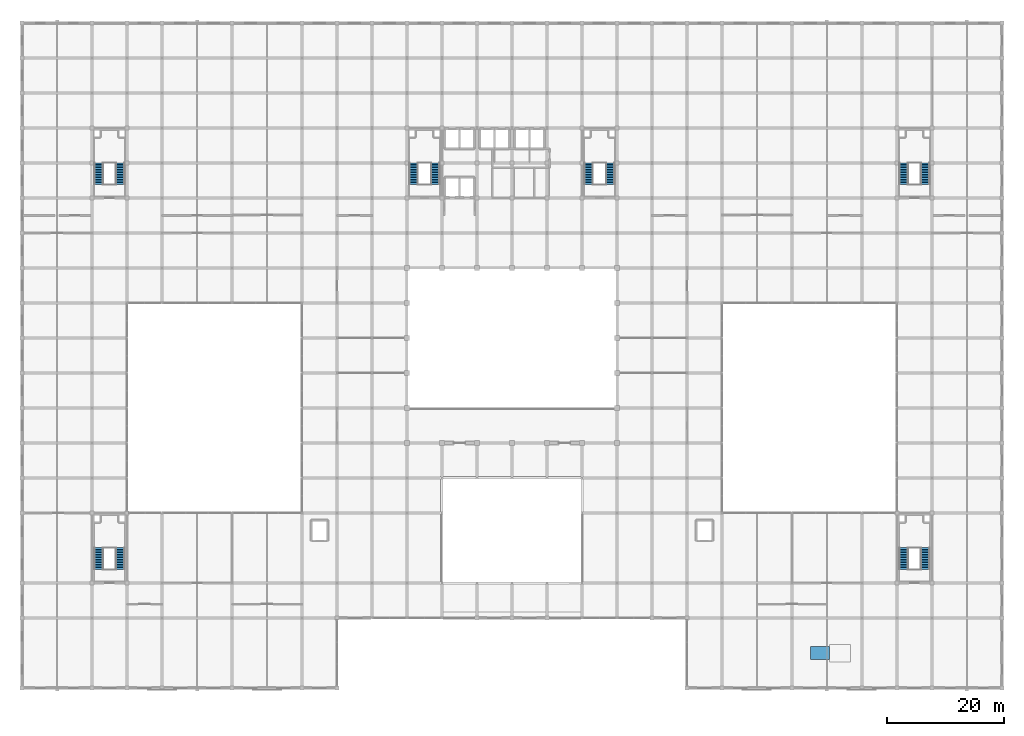
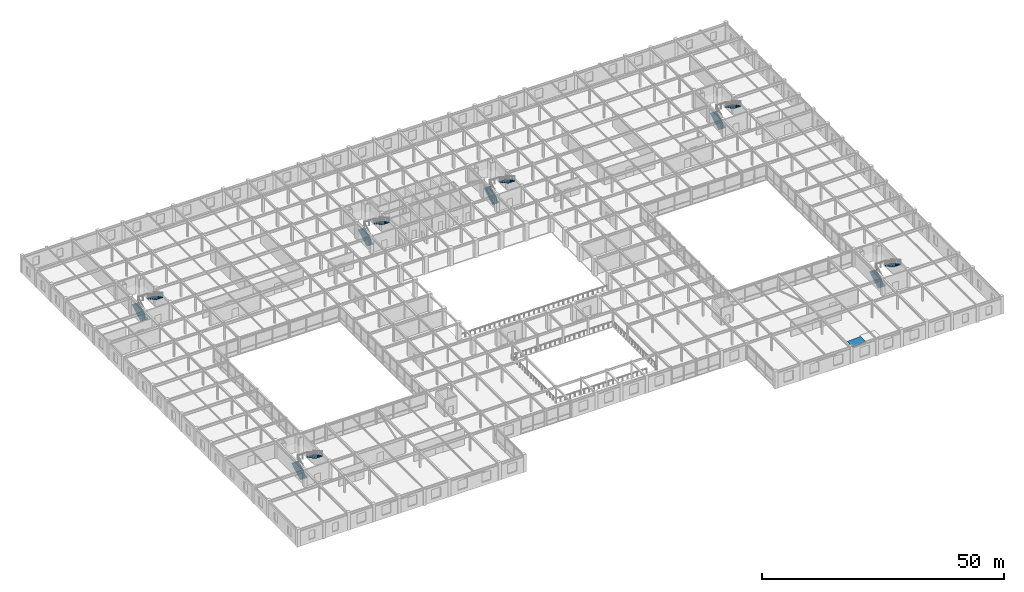
# One storey, part 106 of 108: 12 stair flights, 1 ramp flight, 7 elements without a shape of their own.
"""IFC4 building model written with IfcOpenShell, lengths in metres."""

import ifcopenshell
import ifcopenshell.guid

model = None  # the IFC model being written
_history = None  # IfcOwnerHistory: only IFC2X3 demands one
_inside = {}  # id of a spatial element -> (the spatial element, [elements in it])
_under = {}  # id of a project, library or spatial element -> (it, [spatial elements below it])
_declared = {}  # id of a project -> (the project, [libraries it declares])
_typed = {}  # id of a type object -> (the type object, [elements of that type])
_made_of = {}  # id of a material, layer set ... -> (it, [elements and type objects made of it])


def new_model(schema):
    """Start an empty IFC model of exactly this schema.

    Asked for "IFC4X3", IfcOpenShell would pick the latest addendum, in which some entities
    have other attributes; the version numbers below select the first issue.
    IFC2X3 requires an IfcOwnerHistory on every rooted entity: one is made here for all.
    """
    global model, _history
    if schema == "IFC4X3":
        model = ifcopenshell.file(schema_version=(4, 3, 0, 0))
    else:
        model = ifcopenshell.file(schema=schema)
    _inside.clear()
    _under.clear()
    _declared.clear()
    _typed.clear()
    _made_of.clear()
    _history = None
    if model.schema == "IFC2X3":
        org = make("IfcOrganization", Name="unknown")
        user = make(
            "IfcPersonAndOrganization",
            ThePerson=make("IfcPerson", FamilyName="unknown"),
            TheOrganization=org,
        )
        app = make(
            "IfcApplication",
            ApplicationDeveloper=org,
            Version="unknown",
            ApplicationFullName="unknown",
            ApplicationIdentifier="unknown",
        )
        _history = make(
            "IfcOwnerHistory",
            OwningUser=user,
            OwningApplication=app,
            ChangeAction="ADDED",
            CreationDate=0,
        )
    return model


def make(cls, **values):
    """One entity of the class cls with the attributes given. An attribute that is None is left unset."""
    return model.create_entity(
        cls, **{name: value for name, value in values.items() if value is not None}
    )


def rooted(cls, **values):
    """An entity with a GlobalId (a new one), such as an element, a storey or a relation."""
    return make(cls, GlobalId=ifcopenshell.guid.new(), OwnerHistory=_history, **values)


def si_unit(unit_type, name, prefix=None):
    """IfcSIUnit, for example si_unit("LENGTHUNIT", "METRE", prefix="MILLI")."""
    return make("IfcSIUnit", UnitType=unit_type, Prefix=prefix, Name=name)


def assignment(units):
    """IfcUnitAssignment: the units of a project."""
    return None if units is None else make("IfcUnitAssignment", Units=units)


def point(xyz):
    """IfcCartesianPoint."""
    return None if xyz is None else make("IfcCartesianPoint", Coordinates=xyz)


def direction(xyz):
    """IfcDirection."""
    return None if xyz is None else make("IfcDirection", DirectionRatios=xyz)


def frame(location, z_axis=None, x_axis=None):
    """IfcAxis2Placement3D, a coordinate frame: its origin and axes. An axis left out is left unset."""
    return make(
        "IfcAxis2Placement3D",
        Location=point(location),
        Axis=direction(z_axis),
        RefDirection=direction(x_axis),
    )


def origin():
    """The frame at (0, 0, 0) with its axes left unset."""
    return frame((0.0, 0.0, 0.0))


def place(relative_to, where):
    """IfcLocalPlacement: puts the frame where relative to a parent placement (None: the world)."""
    return make(
        "IfcLocalPlacement", PlacementRelTo=relative_to, RelativePlacement=where
    )


def context(
    kind, dimensions, precision=None, world=None, true_north=None, identifier=None
):
    """IfcGeometricRepresentationContext, for example the 3D "Model" context."""
    return make(
        "IfcGeometricRepresentationContext",
        ContextIdentifier=identifier,
        ContextType=kind,
        CoordinateSpaceDimension=dimensions,
        Precision=precision,
        WorldCoordinateSystem=world,
        TrueNorth=true_north,
    )


def subcontext(parent, identifier, kind, view, scale=None):
    """IfcGeometricRepresentationSubContext, for example "Body" below "Model"."""
    return make(
        "IfcGeometricRepresentationSubContext",
        ContextIdentifier=identifier,
        ContextType=kind,
        ParentContext=parent,
        TargetScale=scale,
        TargetView=view,
    )


def project(units=None, contexts=None):
    """IfcProject with its units and contexts."""
    return rooted(
        "IfcProject",
        Name="project",
        RepresentationContexts=contexts,
        UnitsInContext=assignment(units),
    )


def spatial(cls, under=None, at=None, **own):
    """A site, building, storey or space (cls), placed at a placement, below another one or the project."""
    s = rooted(cls, ObjectPlacement=at, **own)
    if under is not None:
        _under.setdefault(under.id(), (under, []))[1].append(s)
    return s


def polyline(points):
    """IfcPolyline through the points."""
    return make("IfcPolyline", Points=[point(p) for p in points])


def outline(outer, holes=None, kind="AREA"):
    """IfcArbitraryClosedProfileDef: a profile drawn as a closed curve; with holes, ...WithVoids."""
    if holes is None:
        return make("IfcArbitraryClosedProfileDef", ProfileType=kind, OuterCurve=outer)
    return make(
        "IfcArbitraryProfileDefWithVoids",
        ProfileType=kind,
        OuterCurve=outer,
        InnerCurves=holes,
    )


def extrude(swept, where, along, depth):
    """IfcExtrudedAreaSolid: the profile swept, set in the frame where, extruded along a direction by depth."""
    return make(
        "IfcExtrudedAreaSolid",
        SweptArea=swept,
        Position=where,
        ExtrudedDirection=direction(along),
        Depth=depth,
    )


def shape(context_of_items, identifier, shape_type, items):
    """IfcShapeRepresentation: the items that make up one representation, for example the "Body"."""
    return make(
        "IfcShapeRepresentation",
        ContextOfItems=context_of_items,
        RepresentationIdentifier=identifier,
        RepresentationType=shape_type,
        Items=items,
    )


def material(Name=None, Category=None):
    """IfcMaterial."""
    return make("IfcMaterial", Name=Name, Category=Category)


def layer(
    of_material, thickness, ventilated=None, Name=None, Category=None, Priority=None
):
    """IfcMaterialLayer: one layer of a wall or slab, of a material (None: an air gap)."""
    return make(
        "IfcMaterialLayer",
        Material=of_material,
        LayerThickness=thickness,
        IsVentilated=ventilated,
        Name=Name,
        Category=Category,
        Priority=Priority,
    )


def layer_set(layers, Name=None):
    """IfcMaterialLayerSet."""
    return make("IfcMaterialLayerSet", MaterialLayers=layers, LayerSetName=Name)


def made_of(thing, what):
    """Note that an element or type object is made of a material, layer set ...; save() writes the relation."""
    if what is not None:
        _made_of.setdefault(what.id(), (what, []))[1].append(thing)
    return thing


def type_object(cls, material=None, **own):
    """A type object (cls), such as IfcWallType, which elements share."""
    return made_of(rooted(cls, **own), material)


def element(
    cls,
    number,
    at=None,
    inside=None,
    cuts=None,
    type_object=None,
    material=None,
    context=None,
    identifier="Body",
    shape_type=None,
    held_by="IfcProductDefinitionShape",
    body=None,
    shapes=None,
    **own,
):
    """One element of the class cls, such as IfcWall. Its Tag is "e" and its number.

    at: its placement. inside: the storey or other place that contains it. cuts: it is an
    opening in that element (IfcRelVoidsElement). A single representation is given by context,
    identifier, shape_type and body (its items); several are given by shapes. held_by: the class
    of the entity that holds the representations. save() writes the other relations.
    """
    e = rooted(cls, Tag="e%d" % number, ObjectPlacement=at, **own)
    if body is not None:
        shapes = [shape(context, identifier, shape_type, body)]
    if shapes is not None:
        e.Representation = make(held_by, Representations=shapes)
    if inside is not None:
        _inside.setdefault(inside.id(), (inside, []))[1].append(e)
    if cuts is not None:
        rooted(
            "IfcRelVoidsElement", RelatingBuildingElement=cuts, RelatedOpeningElement=e
        )
    if type_object is not None:
        _typed.setdefault(type_object.id(), (type_object, []))[1].append(e)
    return made_of(e, material)


def aggregate(whole, parts):
    """IfcRelAggregates: a whole, such as a stair, and the parts it consists of."""
    return rooted("IfcRelAggregates", RelatingObject=whole, RelatedObjects=parts)


def save(model, path):
    """Write the relations noted so far, then the file.

    IfcRelAggregates (storeys below a building ...), IfcRelContainedInSpatialStructure (elements
    in a storey), IfcRelDefinesByType, IfcRelAssociatesMaterial and IfcRelDeclares: one each for
    every whole, place, type object, material and project.
    """
    for whole, parts in _under.values():
        aggregate(whole, parts)
    for where, things in _inside.values():
        rooted(
            "IfcRelContainedInSpatialStructure",
            RelatedElements=things,
            RelatingStructure=where,
        )
    for kind, things in _typed.values():
        rooted("IfcRelDefinesByType", RelatedObjects=things, RelatingType=kind)
    for what, things in _made_of.values():
        rooted("IfcRelAssociatesMaterial", RelatedObjects=things, RelatingMaterial=what)
    for by, libraries in _declared.values():
        rooted("IfcRelDeclares", RelatingContext=by, RelatedDefinitions=libraries)
    model.write(path)


model = new_model("IFC4")

# Units and contexts
model_context = context("Model", 3, precision=1e-05, world=origin(), true_north=direction((0.0, 1.0)))
body_context = subcontext(model_context, "Body", "Model", "MODEL_VIEW")
ifc_project = project(units=[si_unit("LENGTHUNIT", "METRE"), si_unit("AREAUNIT", "SQUARE_METRE"), si_unit("VOLUMEUNIT", "CUBIC_METRE"), si_unit("PLANEANGLEUNIT", "RADIAN"), si_unit("MASSUNIT", "GRAM", prefix="KILO")], contexts=[model_context])

# Site, building, storey
site_placement = place(None, origin())
site = spatial("IfcSite", under=ifc_project, at=site_placement, CompositionType="ELEMENT")
building_placement = place(site_placement, origin())
building = spatial("IfcBuilding", under=site, at=building_placement, Name="Zlatovratsky Civic Hall", CompositionType="ELEMENT")
storey_placement = place(building_placement, frame((0.0, 0.0, 12.0)))
storey = spatial("IfcBuildingStorey", under=building, at=storey_placement, Name="L03", CompositionType="ELEMENT", Elevation=12.0)

# Stair, stair flights
ifc_material = material(Name="Concrete C30/37 (B35)", Category="concrete")
stair_type_1 = type_object("IfcStairType", Name="Stair_HALF_28R_1550W_03", PredefinedType="HALF_TURN_STAIR", material=ifc_material)
stair_1_placement = place(storey_placement, origin())
stair_1 = element("IfcStair", 1, at=stair_1_placement, inside=storey, type_object=stair_type_1, Name="ST-004", PredefinedType="HALF_TURN_STAIR")
stair_flight_type_1 = type_object("IfcStairFlightType", Name="StairFlight_14R_1550W_03", PredefinedType="STRAIGHT", material=ifc_material)
stair_flight_1_placement = place(storey_placement, frame((67.125, 86.35009765625, 0.0), z_axis=(0.0, 0.0, 1.0), x_axis=(0.0, 1.0, 0.0)))
stair_flight_1 = element("IfcStairFlight", 2, at=stair_flight_1_placement, type_object=stair_flight_type_1, Name="ST-004-F1", NumberOfRisers=14, NumberOfTreads=13, PredefinedType="STRAIGHT", RiserHeight=0.160714286, TreadLength=0.285, context=body_context, shape_type="SweptSolid", body=[
    extrude(outline(polyline([(0.0, 0.0), (0.0, 0.16064453125), (0.284912109375, 0.16064453125), (0.284912109375, 0.321533203125), (0.570068359375, 0.321533203125), (0.570068359375, 0.482177734375), (0.85498046875, 0.482177734375), (0.85498046875, 0.642822265625), (1.139892578125, 0.642822265625), (1.139892578125, 0.803466796875), (1.425048828125, 0.803466796875), (1.425048828125, 0.96435546875), (1.7099609375, 0.96435546875), (1.7099609375, 1.125), (1.9951171875, 1.125), (1.9951171875, 1.28564453125), (2.280029296875, 1.28564453125), (2.280029296875, 1.446533203125), (2.56494140625, 1.446533203125), (2.56494140625, 1.607177734375), (2.85009765625, 1.607177734375), (2.85009765625, 1.767822265625), (3.135009765625, 1.767822265625), (3.135009765625, 1.928466796875), (3.419921875, 1.928466796875), (3.419921875, 2.08935546875), (3.705078125, 2.08935546875), (3.705078125, 2.25), (3.705078125, 1.8828125), (0.3662109375, 0.0), (0.0, 0.0)])), frame((0.0, 0.77490234375, 0.0), z_axis=(0.0, -1.0, 0.0), x_axis=(1.0, 0.0, 0.0)), (0.0, 0.0, 1.0), 1.550048828125),
])
stair_flight_2_placement = place(storey_placement, frame((70.875, 90.054931640625, 2.25), z_axis=(0.0, 0.0, 1.0), x_axis=(0.0, -1.0, 0.0)))
stair_flight_2 = element("IfcStairFlight", 3, at=stair_flight_2_placement, type_object=stair_flight_type_1, Name="ST-004-F2", NumberOfRisers=14, NumberOfTreads=13, PredefinedType="STRAIGHT", RiserHeight=0.160714286, TreadLength=0.285, context=body_context, shape_type="SweptSolid", body=[
    extrude(outline(polyline([(0.0, 0.0), (0.0, 0.16064453125), (0.284912109375, 0.16064453125), (0.284912109375, 0.321533203125), (0.570068359375, 0.321533203125), (0.570068359375, 0.482177734375), (0.85498046875, 0.482177734375), (0.85498046875, 0.642822265625), (1.139892578125, 0.642822265625), (1.139892578125, 0.803466796875), (1.425048828125, 0.803466796875), (1.425048828125, 0.96435546875), (1.7099609375, 0.96435546875), (1.7099609375, 1.125), (1.9951171875, 1.125), (1.9951171875, 1.28564453125), (2.280029296875, 1.28564453125), (2.280029296875, 1.446533203125), (2.56494140625, 1.446533203125), (2.56494140625, 1.607177734375), (2.85009765625, 1.607177734375), (2.85009765625, 1.767822265625), (3.135009765625, 1.767822265625), (3.135009765625, 1.928466796875), (3.419921875, 1.928466796875), (3.419921875, 2.08935546875), (3.705078125, 2.08935546875), (3.705078125, 2.25), (3.705078125, 1.8828125), (0.3662109375, 0.0), (0.0, 0.0)])), frame((0.0, 0.77490234375, 0.0), z_axis=(0.0, -1.0, 0.0), x_axis=(1.0, 0.0, 0.0)), (0.0, 0.0, 1.0), 1.550048828125),
])
aggregate(stair_1, [stair_flight_1, stair_flight_2])

stair_2_placement = place(storey_placement, origin())
stair_2 = element("IfcStair", 4, at=stair_2_placement, inside=storey, type_object=stair_type_1, Name="ST-023", PredefinedType="HALF_TURN_STAIR")
stair_flight_3_placement = place(storey_placement, frame((97.125, 86.35009765625, 0.0), z_axis=(0.0, 0.0, 1.0), x_axis=(0.0, 1.0, 0.0)))
stair_flight_3 = element("IfcStairFlight", 5, at=stair_flight_3_placement, type_object=stair_flight_type_1, Name="ST-023-F1", NumberOfRisers=14, NumberOfTreads=13, PredefinedType="STRAIGHT", RiserHeight=0.160714286, TreadLength=0.285, context=body_context, shape_type="SweptSolid", body=[
    extrude(outline(polyline([(0.0, 0.0), (0.0, 0.16064453125), (0.284912109375, 0.16064453125), (0.284912109375, 0.321533203125), (0.570068359375, 0.321533203125), (0.570068359375, 0.482177734375), (0.85498046875, 0.482177734375), (0.85498046875, 0.642822265625), (1.139892578125, 0.642822265625), (1.139892578125, 0.803466796875), (1.425048828125, 0.803466796875), (1.425048828125, 0.96435546875), (1.7099609375, 0.96435546875), (1.7099609375, 1.125), (1.9951171875, 1.125), (1.9951171875, 1.28564453125), (2.280029296875, 1.28564453125), (2.280029296875, 1.446533203125), (2.56494140625, 1.446533203125), (2.56494140625, 1.607177734375), (2.85009765625, 1.607177734375), (2.85009765625, 1.767822265625), (3.135009765625, 1.767822265625), (3.135009765625, 1.928466796875), (3.419921875, 1.928466796875), (3.419921875, 2.08935546875), (3.705078125, 2.08935546875), (3.705078125, 2.25), (3.705078125, 1.8828125), (0.3662109375, 0.0), (0.0, 0.0)])), frame((0.0, 0.77490234375, 0.0), z_axis=(0.0, -1.0, 0.0), x_axis=(1.0, 0.0, 0.0)), (0.0, 0.0, 1.0), 1.550048828125),
])
stair_flight_4_placement = place(storey_placement, frame((100.875, 90.054931640625, 2.25), z_axis=(0.0, 0.0, 1.0), x_axis=(0.0, -1.0, 0.0)))
stair_flight_4 = element("IfcStairFlight", 6, at=stair_flight_4_placement, type_object=stair_flight_type_1, Name="ST-023-F2", NumberOfRisers=14, NumberOfTreads=13, PredefinedType="STRAIGHT", RiserHeight=0.160714286, TreadLength=0.285, context=body_context, shape_type="SweptSolid", body=[
    extrude(outline(polyline([(0.0, 0.0), (0.0, 0.16064453125), (0.284912109375, 0.16064453125), (0.284912109375, 0.321533203125), (0.570068359375, 0.321533203125), (0.570068359375, 0.482177734375), (0.85498046875, 0.482177734375), (0.85498046875, 0.642822265625), (1.139892578125, 0.642822265625), (1.139892578125, 0.803466796875), (1.425048828125, 0.803466796875), (1.425048828125, 0.96435546875), (1.7099609375, 0.96435546875), (1.7099609375, 1.125), (1.9951171875, 1.125), (1.9951171875, 1.28564453125), (2.280029296875, 1.28564453125), (2.280029296875, 1.446533203125), (2.56494140625, 1.446533203125), (2.56494140625, 1.607177734375), (2.85009765625, 1.607177734375), (2.85009765625, 1.767822265625), (3.135009765625, 1.767822265625), (3.135009765625, 1.928466796875), (3.419921875, 1.928466796875), (3.419921875, 2.08935546875), (3.705078125, 2.08935546875), (3.705078125, 2.25), (3.705078125, 1.8828125), (0.3662109375, 0.0), (0.0, 0.0)])), frame((0.0, 0.77490234375, 0.0), z_axis=(0.0, -1.0, 0.0), x_axis=(1.0, 0.0, 0.0)), (0.0, 0.0, 1.0), 1.550048828125),
])
aggregate(stair_2, [stair_flight_3, stair_flight_4])

stair_type_2 = type_object("IfcStairType", Name="Stair_HALF_28R_1600W_08", PredefinedType="HALF_TURN_STAIR", material=ifc_material)
stair_3_placement = place(storey_placement, origin())
stair_3 = element("IfcStair", 7, at=stair_3_placement, inside=storey, type_object=stair_type_2, Name="ST-041", PredefinedType="HALF_TURN_STAIR")
stair_flight_type_2 = type_object("IfcStairFlightType", Name="StairFlight_14R_1600W_08", PredefinedType="STRAIGHT", material=ifc_material)
stair_flight_5_placement = place(storey_placement, frame((13.14990234375, 20.35009765625, 0.0), z_axis=(0.0, 0.0, 1.0), x_axis=(0.0, 1.0, 0.0)))
stair_flight_5 = element("IfcStairFlight", 8, at=stair_flight_5_placement, type_object=stair_flight_type_2, Name="ST-041-F1", NumberOfRisers=14, NumberOfTreads=13, PredefinedType="STRAIGHT", RiserHeight=0.160714286, TreadLength=0.285, context=body_context, shape_type="SweptSolid", body=[
    extrude(outline(polyline([(0.0, 0.0), (0.0, 0.16064453125), (0.284912109375, 0.16064453125), (0.284912109375, 0.321533203125), (0.570068359375, 0.321533203125), (0.570068359375, 0.482177734375), (0.85498046875, 0.482177734375), (0.85498046875, 0.642822265625), (1.139892578125, 0.642822265625), (1.139892578125, 0.803466796875), (1.425048828125, 0.803466796875), (1.425048828125, 0.96435546875), (1.7099609375, 0.96435546875), (1.7099609375, 1.125), (1.9951171875, 1.125), (1.9951171875, 1.28564453125), (2.280029296875, 1.28564453125), (2.280029296875, 1.446533203125), (2.56494140625, 1.446533203125), (2.56494140625, 1.607177734375), (2.85009765625, 1.607177734375), (2.85009765625, 1.767822265625), (3.135009765625, 1.767822265625), (3.135009765625, 1.928466796875), (3.419921875, 1.928466796875), (3.419921875, 2.08935546875), (3.705078125, 2.08935546875), (3.705078125, 2.25), (3.705078125, 1.8828125), (0.3662109375, 0.0), (0.0, 0.0)])), frame((0.0, 0.800048828125, 0.0), z_axis=(0.0, -1.0, 0.0), x_axis=(1.0, 0.0, 0.0)), (0.0, 0.0, 1.0), 1.60009765625),
])
stair_flight_6_placement = place(storey_placement, frame((16.85009765625, 24.054931640625, 2.25), z_axis=(0.0, 0.0, 1.0), x_axis=(0.0, -1.0, 0.0)))
stair_flight_6 = element("IfcStairFlight", 9, at=stair_flight_6_placement, type_object=stair_flight_type_2, Name="ST-041-F2", NumberOfRisers=14, NumberOfTreads=13, PredefinedType="STRAIGHT", RiserHeight=0.160714286, TreadLength=0.285, context=body_context, shape_type="SweptSolid", body=[
    extrude(outline(polyline([(0.0, 0.0), (0.0, 0.16064453125), (0.284912109375, 0.16064453125), (0.284912109375, 0.321533203125), (0.570068359375, 0.321533203125), (0.570068359375, 0.482177734375), (0.85498046875, 0.482177734375), (0.85498046875, 0.642822265625), (1.139892578125, 0.642822265625), (1.139892578125, 0.803466796875), (1.425048828125, 0.803466796875), (1.425048828125, 0.96435546875), (1.7099609375, 0.96435546875), (1.7099609375, 1.125), (1.9951171875, 1.125), (1.9951171875, 1.28564453125), (2.280029296875, 1.28564453125), (2.280029296875, 1.446533203125), (2.56494140625, 1.446533203125), (2.56494140625, 1.607177734375), (2.85009765625, 1.607177734375), (2.85009765625, 1.767822265625), (3.135009765625, 1.767822265625), (3.135009765625, 1.928466796875), (3.419921875, 1.928466796875), (3.419921875, 2.08935546875), (3.705078125, 2.08935546875), (3.705078125, 2.25), (3.705078125, 1.8828125), (0.3662109375, 0.0), (0.0, 0.0)])), frame((0.0, 0.800048828125, 0.0), z_axis=(0.0, -1.0, 0.0), x_axis=(1.0, 0.0, 0.0)), (0.0, 0.0, 1.0), 1.60009765625),
])
aggregate(stair_3, [stair_flight_5, stair_flight_6])

stair_4_placement = place(storey_placement, origin())
stair_4 = element("IfcStair", 10, at=stair_4_placement, inside=storey, type_object=stair_type_2, Name="ST-045", PredefinedType="HALF_TURN_STAIR")
stair_flight_7_placement = place(storey_placement, frame((151.14990234375, 20.35009765625, 0.0), z_axis=(0.0, 0.0, 1.0), x_axis=(0.0, 1.0, 0.0)))
stair_flight_7 = element("IfcStairFlight", 11, at=stair_flight_7_placement, type_object=stair_flight_type_2, Name="ST-045-F1", NumberOfRisers=14, NumberOfTreads=13, PredefinedType="STRAIGHT", RiserHeight=0.160714286, TreadLength=0.285, context=body_context, shape_type="SweptSolid", body=[
    extrude(outline(polyline([(0.0, 0.0), (0.0, 0.16064453125), (0.284912109375, 0.16064453125), (0.284912109375, 0.321533203125), (0.570068359375, 0.321533203125), (0.570068359375, 0.482177734375), (0.85498046875, 0.482177734375), (0.85498046875, 0.642822265625), (1.139892578125, 0.642822265625), (1.139892578125, 0.803466796875), (1.425048828125, 0.803466796875), (1.425048828125, 0.96435546875), (1.7099609375, 0.96435546875), (1.7099609375, 1.125), (1.9951171875, 1.125), (1.9951171875, 1.28564453125), (2.280029296875, 1.28564453125), (2.280029296875, 1.446533203125), (2.56494140625, 1.446533203125), (2.56494140625, 1.607177734375), (2.85009765625, 1.607177734375), (2.85009765625, 1.767822265625), (3.135009765625, 1.767822265625), (3.135009765625, 1.928466796875), (3.419921875, 1.928466796875), (3.419921875, 2.08935546875), (3.705078125, 2.08935546875), (3.705078125, 2.25), (3.705078125, 1.8828125), (0.3662109375, 0.0), (0.0, 0.0)])), frame((0.0, 0.800048828125, 0.0), z_axis=(0.0, -1.0, 0.0), x_axis=(1.0, 0.0, 0.0)), (0.0, 0.0, 1.0), 1.60009765625),
])
stair_flight_8_placement = place(storey_placement, frame((154.85009765625, 24.054931640625, 2.25), z_axis=(0.0, 0.0, 1.0), x_axis=(0.0, -1.0, 0.0)))
stair_flight_8 = element("IfcStairFlight", 12, at=stair_flight_8_placement, type_object=stair_flight_type_2, Name="ST-045-F2", NumberOfRisers=14, NumberOfTreads=13, PredefinedType="STRAIGHT", RiserHeight=0.160714286, TreadLength=0.285, context=body_context, shape_type="SweptSolid", body=[
    extrude(outline(polyline([(0.0, 0.0), (0.0, 0.16064453125), (0.284912109375, 0.16064453125), (0.284912109375, 0.321533203125), (0.570068359375, 0.321533203125), (0.570068359375, 0.482177734375), (0.85498046875, 0.482177734375), (0.85498046875, 0.642822265625), (1.139892578125, 0.642822265625), (1.139892578125, 0.803466796875), (1.425048828125, 0.803466796875), (1.425048828125, 0.96435546875), (1.7099609375, 0.96435546875), (1.7099609375, 1.125), (1.9951171875, 1.125), (1.9951171875, 1.28564453125), (2.280029296875, 1.28564453125), (2.280029296875, 1.446533203125), (2.56494140625, 1.446533203125), (2.56494140625, 1.607177734375), (2.85009765625, 1.607177734375), (2.85009765625, 1.767822265625), (3.135009765625, 1.767822265625), (3.135009765625, 1.928466796875), (3.419921875, 1.928466796875), (3.419921875, 2.08935546875), (3.705078125, 2.08935546875), (3.705078125, 2.25), (3.705078125, 1.8828125), (0.3662109375, 0.0), (0.0, 0.0)])), frame((0.0, 0.800048828125, 0.0), z_axis=(0.0, -1.0, 0.0), x_axis=(1.0, 0.0, 0.0)), (0.0, 0.0, 1.0), 1.60009765625),
])
aggregate(stair_4, [stair_flight_7, stair_flight_8])

stair_5_placement = place(storey_placement, origin())
stair_5 = element("IfcStair", 13, at=stair_5_placement, inside=storey, type_object=stair_type_2, Name="ST-049", PredefinedType="HALF_TURN_STAIR")
stair_flight_9_placement = place(storey_placement, frame((13.14990234375, 86.35009765625, 0.0), z_axis=(0.0, 0.0, 1.0), x_axis=(0.0, 1.0, 0.0)))
stair_flight_9 = element("IfcStairFlight", 14, at=stair_flight_9_placement, type_object=stair_flight_type_2, Name="ST-049-F1", NumberOfRisers=14, NumberOfTreads=13, PredefinedType="STRAIGHT", RiserHeight=0.160714286, TreadLength=0.285, context=body_context, shape_type="SweptSolid", body=[
    extrude(outline(polyline([(0.0, 0.0), (0.0, 0.16064453125), (0.284912109375, 0.16064453125), (0.284912109375, 0.321533203125), (0.570068359375, 0.321533203125), (0.570068359375, 0.482177734375), (0.85498046875, 0.482177734375), (0.85498046875, 0.642822265625), (1.139892578125, 0.642822265625), (1.139892578125, 0.803466796875), (1.425048828125, 0.803466796875), (1.425048828125, 0.96435546875), (1.7099609375, 0.96435546875), (1.7099609375, 1.125), (1.9951171875, 1.125), (1.9951171875, 1.28564453125), (2.280029296875, 1.28564453125), (2.280029296875, 1.446533203125), (2.56494140625, 1.446533203125), (2.56494140625, 1.607177734375), (2.85009765625, 1.607177734375), (2.85009765625, 1.767822265625), (3.135009765625, 1.767822265625), (3.135009765625, 1.928466796875), (3.419921875, 1.928466796875), (3.419921875, 2.08935546875), (3.705078125, 2.08935546875), (3.705078125, 2.25), (3.705078125, 1.8828125), (0.3662109375, 0.0), (0.0, 0.0)])), frame((0.0, 0.800048828125, 0.0), z_axis=(0.0, -1.0, 0.0), x_axis=(1.0, 0.0, 0.0)), (0.0, 0.0, 1.0), 1.60009765625),
])
stair_flight_10_placement = place(storey_placement, frame((16.85009765625, 90.054931640625, 2.25), z_axis=(0.0, 0.0, 1.0), x_axis=(0.0, -1.0, 0.0)))
stair_flight_10 = element("IfcStairFlight", 15, at=stair_flight_10_placement, type_object=stair_flight_type_2, Name="ST-049-F2", NumberOfRisers=14, NumberOfTreads=13, PredefinedType="STRAIGHT", RiserHeight=0.160714286, TreadLength=0.285, context=body_context, shape_type="SweptSolid", body=[
    extrude(outline(polyline([(0.0, 0.0), (0.0, 0.16064453125), (0.284912109375, 0.16064453125), (0.284912109375, 0.321533203125), (0.570068359375, 0.321533203125), (0.570068359375, 0.482177734375), (0.85498046875, 0.482177734375), (0.85498046875, 0.642822265625), (1.139892578125, 0.642822265625), (1.139892578125, 0.803466796875), (1.425048828125, 0.803466796875), (1.425048828125, 0.96435546875), (1.7099609375, 0.96435546875), (1.7099609375, 1.125), (1.9951171875, 1.125), (1.9951171875, 1.28564453125), (2.280029296875, 1.28564453125), (2.280029296875, 1.446533203125), (2.56494140625, 1.446533203125), (2.56494140625, 1.607177734375), (2.85009765625, 1.607177734375), (2.85009765625, 1.767822265625), (3.135009765625, 1.767822265625), (3.135009765625, 1.928466796875), (3.419921875, 1.928466796875), (3.419921875, 2.08935546875), (3.705078125, 2.08935546875), (3.705078125, 2.25), (3.705078125, 1.8828125), (0.3662109375, 0.0), (0.0, 0.0)])), frame((0.0, 0.800048828125, 0.0), z_axis=(0.0, -1.0, 0.0), x_axis=(1.0, 0.0, 0.0)), (0.0, 0.0, 1.0), 1.60009765625),
])
aggregate(stair_5, [stair_flight_9, stair_flight_10])

stair_6_placement = place(storey_placement, origin())
stair_6 = element("IfcStair", 16, at=stair_6_placement, inside=storey, type_object=stair_type_2, Name="ST-053", PredefinedType="HALF_TURN_STAIR")
stair_flight_11_placement = place(storey_placement, frame((151.14990234375, 86.35009765625, 0.0), z_axis=(0.0, 0.0, 1.0), x_axis=(0.0, 1.0, 0.0)))
stair_flight_11 = element("IfcStairFlight", 17, at=stair_flight_11_placement, type_object=stair_flight_type_2, Name="ST-053-F1", NumberOfRisers=14, NumberOfTreads=13, PredefinedType="STRAIGHT", RiserHeight=0.160714286, TreadLength=0.285, context=body_context, shape_type="SweptSolid", body=[
    extrude(outline(polyline([(0.0, 0.0), (0.0, 0.16064453125), (0.284912109375, 0.16064453125), (0.284912109375, 0.321533203125), (0.570068359375, 0.321533203125), (0.570068359375, 0.482177734375), (0.85498046875, 0.482177734375), (0.85498046875, 0.642822265625), (1.139892578125, 0.642822265625), (1.139892578125, 0.803466796875), (1.425048828125, 0.803466796875), (1.425048828125, 0.96435546875), (1.7099609375, 0.96435546875), (1.7099609375, 1.125), (1.9951171875, 1.125), (1.9951171875, 1.28564453125), (2.280029296875, 1.28564453125), (2.280029296875, 1.446533203125), (2.56494140625, 1.446533203125), (2.56494140625, 1.607177734375), (2.85009765625, 1.607177734375), (2.85009765625, 1.767822265625), (3.135009765625, 1.767822265625), (3.135009765625, 1.928466796875), (3.419921875, 1.928466796875), (3.419921875, 2.08935546875), (3.705078125, 2.08935546875), (3.705078125, 2.25), (3.705078125, 1.8828125), (0.3662109375, 0.0), (0.0, 0.0)])), frame((0.0, 0.800048828125, 0.0), z_axis=(0.0, -1.0, 0.0), x_axis=(1.0, 0.0, 0.0)), (0.0, 0.0, 1.0), 1.60009765625),
])
stair_flight_12_placement = place(storey_placement, frame((154.85009765625, 90.054931640625, 2.25), z_axis=(0.0, 0.0, 1.0), x_axis=(0.0, -1.0, 0.0)))
stair_flight_12 = element("IfcStairFlight", 18, at=stair_flight_12_placement, type_object=stair_flight_type_2, Name="ST-053-F2", NumberOfRisers=14, NumberOfTreads=13, PredefinedType="STRAIGHT", RiserHeight=0.160714286, TreadLength=0.285, context=body_context, shape_type="SweptSolid", body=[
    extrude(outline(polyline([(0.0, 0.0), (0.0, 0.16064453125), (0.284912109375, 0.16064453125), (0.284912109375, 0.321533203125), (0.570068359375, 0.321533203125), (0.570068359375, 0.482177734375), (0.85498046875, 0.482177734375), (0.85498046875, 0.642822265625), (1.139892578125, 0.642822265625), (1.139892578125, 0.803466796875), (1.425048828125, 0.803466796875), (1.425048828125, 0.96435546875), (1.7099609375, 0.96435546875), (1.7099609375, 1.125), (1.9951171875, 1.125), (1.9951171875, 1.28564453125), (2.280029296875, 1.28564453125), (2.280029296875, 1.446533203125), (2.56494140625, 1.446533203125), (2.56494140625, 1.607177734375), (2.85009765625, 1.607177734375), (2.85009765625, 1.767822265625), (3.135009765625, 1.767822265625), (3.135009765625, 1.928466796875), (3.419921875, 1.928466796875), (3.419921875, 2.08935546875), (3.705078125, 2.08935546875), (3.705078125, 2.25), (3.705078125, 1.8828125), (0.3662109375, 0.0), (0.0, 0.0)])), frame((0.0, 0.800048828125, 0.0), z_axis=(0.0, -1.0, 0.0), x_axis=(1.0, 0.0, 0.0)), (0.0, 0.0, 1.0), 1.60009765625),
])
aggregate(stair_6, [stair_flight_11, stair_flight_12])

# Ramp, ramp flight
ramp_type = type_object("IfcRampType", Name="Ramp_AccessibleGranite", PredefinedType="STRAIGHT_RUN_RAMP", material=ifc_material)
ramp_placement = place(storey_placement, origin())
ramp = element("IfcRamp", 19, at=ramp_placement, inside=storey, type_object=ramp_type, Name="RMP-05", PredefinedType="STRAIGHT_RUN_RAMP")
ifc_layer = layer(ifc_material, 0.219970703125)
ifc_layer_set = layer_set([ifc_layer], Name="Concrete C30/37 (B35)")
ramp_flight_type = type_object("IfcRampFlightType", Name="RampFlight_AccessibleGranite", PredefinedType="STRAIGHT", material=ifc_layer_set)
ramp_flight_placement = place(storey_placement, frame((135.199951171875, 6.0, 0.0), z_axis=(0.0, 0.0, 1.0), x_axis=(1.0, 0.0, 0.0)))
ramp_flight = element("IfcRampFlight", 20, at=ramp_flight_placement, type_object=ramp_flight_type, Name="RMP-05-F1", PredefinedType="STRAIGHT", context=body_context, shape_type="SweptSolid", body=[
    extrude(outline(polyline([(0.0, 0.0), (3.199951171875, 0.159912109375), (3.199951171875, 0.0), (0.0, -0.159912109375), (0.0, 0.0)])), frame((0.0, 1.10009765625, 0.0), z_axis=(0.0, -1.0, 0.0), x_axis=(1.0, 0.0, 0.0)), (0.0, 0.0, 1.0), 2.199951171875),
])
aggregate(ramp, [ramp_flight])

save(model, "model.ifc")
